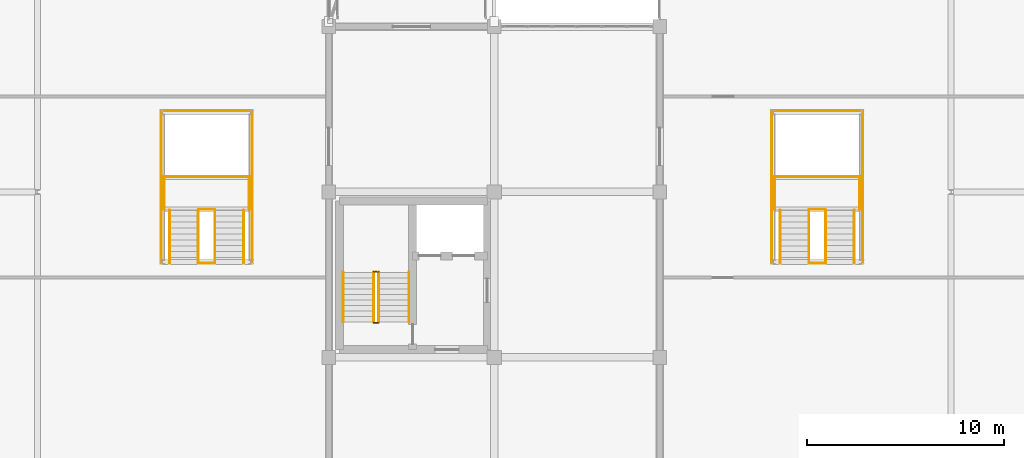
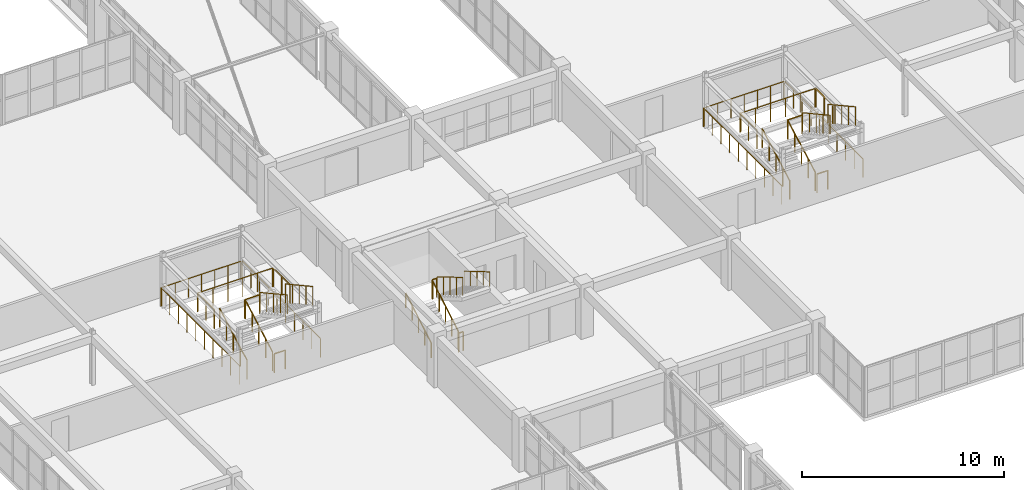
# One storey, part 141 of 148: 30 railings.
"""IFC4 building model written with IfcOpenShell, lengths in metres."""

from ifc_helpers import new_model, si_unit, direction, frame, origin, origin_2d, place, context, subcontext, project, spatial, circle, extrude, material, type_object, element, save


model = new_model("IFC4")

# Units and contexts
model_context = context("Model", 3, precision=1e-05, world=origin(), true_north=direction((0.0, 1.0)))
body_context = subcontext(model_context, "Body", "Model", "MODEL_VIEW")
ifc_project = project(units=[si_unit("LENGTHUNIT", "METRE"), si_unit("AREAUNIT", "SQUARE_METRE"), si_unit("VOLUMEUNIT", "CUBIC_METRE"), si_unit("PLANEANGLEUNIT", "RADIAN"), si_unit("MASSUNIT", "GRAM", prefix="KILO")], contexts=[model_context])

# Site, building, storey
site_placement = place(None, origin())
site = spatial("IfcSite", under=ifc_project, at=site_placement, CompositionType="ELEMENT")
building_placement = place(site_placement, origin())
building = spatial("IfcBuilding", under=site, at=building_placement, Name="Trelvath General Hospital", CompositionType="ELEMENT")
storey_placement = place(building_placement, frame((0.0, 0.0, 12.89990234375)))
storey = spatial("IfcBuildingStorey", under=building, at=storey_placement, Name="L03", CompositionType="ELEMENT", Elevation=12.89990234375)

# Railings
ifc_material_1 = material(Name="Architectural painted steel", Category="steel")
railing_type_1 = type_object("IfcRailingType", Name="Guardrail Terrace1150", PredefinedType="GUARDRAIL", material=ifc_material_1)
railing_1_placement = place(storey_placement, frame((77.8701171875, 52.159912109375, 0.0)))
element("IfcRailing", 1, at=railing_1_placement, inside=storey, type_object=railing_type_1, Name="Stair Well Edge Guard C6 L03 210", PredefinedType="GUARDRAIL", context=body_context, shape_type="SweptSolid", body=[
    extrude(circle(Radius=0.02392578125, at=origin_2d()), frame((0.0, 0.0, 1.1259765625), z_axis=(1.0, 0.0, 0.0), x_axis=(0.0, 1.0, 0.0)), (0.0, 0.0, 1.0), 0.259765625),
    extrude(circle(Radius=0.02099609375, at=origin_2d()), origin(), (0.0, 0.0, 1.0), 1.099853515625),
    extrude(circle(Radius=0.02099609375, at=origin_2d()), frame((0.259765625, 0.0, 0.0)), (0.0, 0.0, 1.0), 1.099853515625),
])
railing_2_placement = place(storey_placement, frame((78.1298828125, 54.719970703125, 1.815185546875)))
element("IfcRailing", 2, at=railing_2_placement, inside=storey, type_object=railing_type_1, Name="Stair Rail ST6 L03 F2 L 212", PredefinedType="GUARDRAIL", context=body_context, shape_type="SweptSolid", body=[
    extrude(circle(Radius=0.02392578125, at=origin_2d()), frame((0.0, 0.0, 1.076171875), z_axis=(0.0, -0.861560626758, 0.507654692109), x_axis=(1.0, 0.0, 0.0)), (0.0, 0.0, 1.0), 2.925048828125),
    extrude(circle(Radius=0.02099609375, at=origin_2d()), origin(), (0.0, 0.0, 1.0), 1.050048828125),
    extrude(circle(Radius=0.02099609375, at=origin_2d()), frame((0.0, -0.6298828125, 0.37109375)), (0.0, 0.0, 1.0), 1.050048828125),
    extrude(circle(Radius=0.02099609375, at=origin_2d()), frame((0.0, -1.260009765625, 0.742431640625)), (0.0, 0.0, 1.0), 1.050048828125),
    extrude(circle(Radius=0.02099609375, at=origin_2d()), frame((0.0, -1.89013671875, 1.11376953125)), (0.0, 0.0, 1.0), 1.050048828125),
    extrude(circle(Radius=0.02099609375, at=origin_2d()), frame((0.0, -2.52001953125, 1.48486328125)), (0.0, 0.0, 1.0), 1.050048828125),
])
railing_3_placement = place(storey_placement, frame((77.8701171875, 52.199951171875, 0.1650390625)))
element("IfcRailing", 3, at=railing_3_placement, inside=storey, type_object=railing_type_1, Name="Stair Rail ST6 L03 F1 R 213", PredefinedType="GUARDRAIL", context=body_context, shape_type="SweptSolid", body=[
    extrude(circle(Radius=0.02392578125, at=origin_2d()), frame((0.0, 0.0, 1.076171875), z_axis=(0.0, 0.86152411907, 0.507716645641), x_axis=(-1.0, 0.0, 0.0)), (0.0, 0.0, 1.0), 2.925048828125),
    extrude(circle(Radius=0.02099609375, at=origin_2d()), origin(), (0.0, 0.0, 1.0), 1.050048828125),
    extrude(circle(Radius=0.02099609375, at=origin_2d()), frame((0.0, 0.6298828125, 0.371337890625)), (0.0, 0.0, 1.0), 1.050048828125),
    extrude(circle(Radius=0.02099609375, at=origin_2d()), frame((0.0, 1.260009765625, 0.74267578125)), (0.0, 0.0, 1.0), 1.050048828125),
    extrude(circle(Radius=0.02099609375, at=origin_2d()), frame((0.0, 1.89013671875, 1.11376953125)), (0.0, 0.0, 1.0), 1.050048828125),
    extrude(circle(Radius=0.02099609375, at=origin_2d()), frame((0.0, 2.52001953125, 1.485107421875)), (0.0, 0.0, 1.0), 1.050048828125),
])
railing_4_placement = place(storey_placement, frame((77.8701171875, 54.760009765625, 1.650146484375)))
element("IfcRailing", 4, at=railing_4_placement, inside=storey, type_object=railing_type_1, Name="Half-Landing Well Guard ST6 L03 215", PredefinedType="GUARDRAIL", context=body_context, shape_type="SweptSolid", body=[
    extrude(circle(Radius=0.02392578125, at=origin_2d()), frame((0.0, 0.0, 1.1259765625), z_axis=(1.0, 0.0, 0.0), x_axis=(0.0, 1.0, 0.0)), (0.0, 0.0, 1.0), 0.259765625),
    extrude(circle(Radius=0.02099609375, at=origin_2d()), origin(), (0.0, 0.0, 1.0), 1.099853515625),
    extrude(circle(Radius=0.02099609375, at=origin_2d()), frame((0.259765625, 0.0, 0.0)), (0.0, 0.0, 1.0), 1.099853515625),
])
for number, where, name in (
    (5, (67.52001953125, 55.169921875, 0.1650390625), "Cube Stair Flight Guard ST9 L03 307"),
    (6, (68.97998046875, 55.169921875, 0.1650390625), "Cube Stair Flight Guard ST9 L03 308"),
):
    element("IfcRailing", number, at=place(storey_placement, frame(where)), inside=storey, type_object=railing_type_1, Name=name, PredefinedType="GUARDRAIL", context=body_context, shape_type="SweptSolid", body=[
        extrude(circle(Radius=0.02392578125, at=origin_2d()), frame((0.0, 0.0, 1.1259765625), z_axis=(0.0, 0.876215908677, 0.481918749772), x_axis=(-1.0, 0.0, 0.0)), (0.0, 0.0, 1.0), 3.08154296875),
        extrude(circle(Radius=0.02099609375, at=origin_2d()), origin(), (0.0, 0.0, 1.0), 1.099853515625),
        extrude(circle(Radius=0.02099609375, at=origin_2d()), frame((0.0, 0.675048828125, 0.371337890625)), (0.0, 0.0, 1.0), 1.099853515625),
        extrude(circle(Radius=0.02099609375, at=origin_2d()), frame((0.0, 1.35009765625, 0.74267578125)), (0.0, 0.0, 1.0), 1.099853515625),
        extrude(circle(Radius=0.02099609375, at=origin_2d()), frame((0.0, 2.025146484375, 1.11376953125)), (0.0, 0.0, 1.0), 1.099853515625),
        extrude(circle(Radius=0.02099609375, at=origin_2d()), frame((0.0, 2.7001953125, 1.485107421875)), (0.0, 0.0, 1.0), 1.099853515625),
    ])
for number, where, name in (
    (7, (69.820068359375, 57.8701171875, 1.815185546875), "Cube Stair Flight Guard ST9 L03 309"),
    (8, (71.280029296875, 57.8701171875, 1.815185546875), "Cube Stair Flight Guard ST9 L03 310"),
):
    element("IfcRailing", number, at=place(storey_placement, frame(where)), inside=storey, type_object=railing_type_1, Name=name, PredefinedType="GUARDRAIL", context=body_context, shape_type="SweptSolid", body=[
        extrude(circle(Radius=0.02392578125, at=origin_2d()), frame((0.0, 0.0, 1.1259765625), z_axis=(0.0, -0.876249361297, 0.481857921827), x_axis=(1.0, 0.0, 0.0)), (0.0, 0.0, 1.0), 3.08154296875),
        extrude(circle(Radius=0.02099609375, at=origin_2d()), origin(), (0.0, 0.0, 1.0), 1.099853515625),
        extrude(circle(Radius=0.02099609375, at=origin_2d()), frame((0.0, -0.675048828125, 0.37109375)), (0.0, 0.0, 1.0), 1.099853515625),
        extrude(circle(Radius=0.02099609375, at=origin_2d()), frame((0.0, -1.35009765625, 0.742431640625)), (0.0, 0.0, 1.0), 1.099853515625),
        extrude(circle(Radius=0.02099609375, at=origin_2d()), frame((0.0, -2.025146484375, 1.11376953125)), (0.0, 0.0, 1.0), 1.099853515625),
        extrude(circle(Radius=0.02099609375, at=origin_2d()), frame((0.0, -2.7001953125, 1.48486328125)), (0.0, 0.0, 1.0), 1.099853515625),
    ])
railing_5_placement = place(storey_placement, frame((67.239990234375, 57.909912109375, 1.650146484375)))
element("IfcRailing", 9, at=railing_5_placement, inside=storey, type_object=railing_type_1, Name="Cube Half-Landing Guard W ST9 L03 311", PredefinedType="GUARDRAIL", context=body_context, shape_type="SweptSolid", body=[
    extrude(circle(Radius=0.02392578125, at=origin_2d()), frame((0.0, 0.0, 1.1259765625), z_axis=(0.0, 1.0, 0.0), x_axis=(-1.0, 0.0, 0.0)), (0.0, 0.0, 1.0), 1.670166015625),
    extrude(circle(Radius=0.02099609375, at=origin_2d()), origin(), (0.0, 0.0, 1.0), 1.099853515625),
    extrude(circle(Radius=0.02099609375, at=origin_2d()), frame((0.0, 0.8349609375, 0.0)), (0.0, 0.0, 1.0), 1.099853515625),
    extrude(circle(Radius=0.02099609375, at=origin_2d()), frame((0.0, 1.670166015625, 0.0)), (0.0, 0.0, 1.0), 1.099853515625),
])
railing_6_placement = place(storey_placement, frame((67.280029296875, 59.580078125, 1.650146484375)))
element("IfcRailing", 10, at=railing_6_placement, inside=storey, type_object=railing_type_1, Name="Cube Half-Landing Guard N ST9 L03 312", PredefinedType="GUARDRAIL", context=body_context, shape_type="SweptSolid", body=[
    extrude(circle(Radius=0.02392578125, at=origin_2d()), frame((0.0, 0.0, 1.1259765625), z_axis=(1.0, 0.0, 0.0), x_axis=(0.0, 1.0, 0.0)), (0.0, 0.0, 1.0), 4.239990234375),
    extrude(circle(Radius=0.02099609375, at=origin_2d()), origin(), (0.0, 0.0, 1.0), 1.099853515625),
    extrude(circle(Radius=0.02099609375, at=origin_2d()), frame((0.847900390625, 0.0, 0.0)), (0.0, 0.0, 1.0), 1.099853515625),
    extrude(circle(Radius=0.02099609375, at=origin_2d()), frame((1.696044921875, 0.0, 0.0)), (0.0, 0.0, 1.0), 1.099853515625),
    extrude(circle(Radius=0.02099609375, at=origin_2d()), frame((2.5439453125, 0.0, 0.0)), (0.0, 0.0, 1.0), 1.099853515625),
    extrude(circle(Radius=0.02099609375, at=origin_2d()), frame((3.39208984375, 0.0, 0.0)), (0.0, 0.0, 1.0), 1.099853515625),
    extrude(circle(Radius=0.02099609375, at=origin_2d()), frame((4.239990234375, 0.0, 0.0)), (0.0, 0.0, 1.0), 1.099853515625),
])
railing_7_placement = place(storey_placement, frame((71.56005859375, 57.909912109375, 1.650146484375)))
element("IfcRailing", 11, at=railing_7_placement, inside=storey, type_object=railing_type_1, Name="Cube Half-Landing Guard E ST9 L03 313", PredefinedType="GUARDRAIL", context=body_context, shape_type="SweptSolid", body=[
    extrude(circle(Radius=0.02392578125, at=origin_2d()), frame((0.0, 0.0, 1.1259765625), z_axis=(0.0, 1.0, 0.0), x_axis=(-1.0, 0.0, 0.0)), (0.0, 0.0, 1.0), 1.670166015625),
    extrude(circle(Radius=0.02099609375, at=origin_2d()), origin(), (0.0, 0.0, 1.0), 1.099853515625),
    extrude(circle(Radius=0.02099609375, at=origin_2d()), frame((0.0, 0.8349609375, 0.0)), (0.0, 0.0, 1.0), 1.099853515625),
    extrude(circle(Radius=0.02099609375, at=origin_2d()), frame((0.0, 1.670166015625, 0.0)), (0.0, 0.0, 1.0), 1.099853515625),
])
railing_8_placement = place(storey_placement, frame((68.97998046875, 57.909912109375, 1.650146484375)))
element("IfcRailing", 12, at=railing_8_placement, inside=storey, type_object=railing_type_1, Name="Cube Half-Landing Slot Guard ST9 L03 314", PredefinedType="GUARDRAIL", context=body_context, shape_type="SweptSolid", body=[
    extrude(circle(Radius=0.02392578125, at=origin_2d()), frame((0.0, 0.0, 1.1259765625), z_axis=(1.0, 0.0, 0.0), x_axis=(0.0, 1.0, 0.0)), (0.0, 0.0, 1.0), 0.840087890625),
    extrude(circle(Radius=0.02099609375, at=origin_2d()), origin(), (0.0, 0.0, 1.0), 1.099853515625),
    extrude(circle(Radius=0.02099609375, at=origin_2d()), frame((0.840087890625, 0.0, 0.0)), (0.0, 0.0, 1.0), 1.099853515625),
])
for number, where, name in (
    (13, (98.52001953125, 55.169921875, 0.1650390625), "Cube Stair Flight Guard ST10 L03 315"),
    (14, (99.97998046875, 55.169921875, 0.1650390625), "Cube Stair Flight Guard ST10 L03 316"),
):
    element("IfcRailing", number, at=place(storey_placement, frame(where)), inside=storey, type_object=railing_type_1, Name=name, PredefinedType="GUARDRAIL", context=body_context, shape_type="SweptSolid", body=[
        extrude(circle(Radius=0.02392578125, at=origin_2d()), frame((0.0, 0.0, 1.1259765625), z_axis=(0.0, 0.876215908677, 0.481918749772), x_axis=(-1.0, 0.0, 0.0)), (0.0, 0.0, 1.0), 3.08154296875),
        extrude(circle(Radius=0.02099609375, at=origin_2d()), origin(), (0.0, 0.0, 1.0), 1.099853515625),
        extrude(circle(Radius=0.02099609375, at=origin_2d()), frame((0.0, 0.675048828125, 0.371337890625)), (0.0, 0.0, 1.0), 1.099853515625),
        extrude(circle(Radius=0.02099609375, at=origin_2d()), frame((0.0, 1.35009765625, 0.74267578125)), (0.0, 0.0, 1.0), 1.099853515625),
        extrude(circle(Radius=0.02099609375, at=origin_2d()), frame((0.0, 2.025146484375, 1.11376953125)), (0.0, 0.0, 1.0), 1.099853515625),
        extrude(circle(Radius=0.02099609375, at=origin_2d()), frame((0.0, 2.7001953125, 1.485107421875)), (0.0, 0.0, 1.0), 1.099853515625),
    ])
for number, where, name in (
    (15, (100.820068359375, 57.8701171875, 1.815185546875), "Cube Stair Flight Guard ST10 L03 317"),
    (16, (102.280029296875, 57.8701171875, 1.815185546875), "Cube Stair Flight Guard ST10 L03 318"),
):
    element("IfcRailing", number, at=place(storey_placement, frame(where)), inside=storey, type_object=railing_type_1, Name=name, PredefinedType="GUARDRAIL", context=body_context, shape_type="SweptSolid", body=[
        extrude(circle(Radius=0.02392578125, at=origin_2d()), frame((0.0, 0.0, 1.1259765625), z_axis=(0.0, -0.876249361297, 0.481857921827), x_axis=(1.0, 0.0, 0.0)), (0.0, 0.0, 1.0), 3.08154296875),
        extrude(circle(Radius=0.02099609375, at=origin_2d()), origin(), (0.0, 0.0, 1.0), 1.099853515625),
        extrude(circle(Radius=0.02099609375, at=origin_2d()), frame((0.0, -0.675048828125, 0.37109375)), (0.0, 0.0, 1.0), 1.099853515625),
        extrude(circle(Radius=0.02099609375, at=origin_2d()), frame((0.0, -1.35009765625, 0.742431640625)), (0.0, 0.0, 1.0), 1.099853515625),
        extrude(circle(Radius=0.02099609375, at=origin_2d()), frame((0.0, -2.025146484375, 1.11376953125)), (0.0, 0.0, 1.0), 1.099853515625),
        extrude(circle(Radius=0.02099609375, at=origin_2d()), frame((0.0, -2.7001953125, 1.48486328125)), (0.0, 0.0, 1.0), 1.099853515625),
    ])
railing_9_placement = place(storey_placement, frame((98.239990234375, 57.909912109375, 1.650146484375)))
element("IfcRailing", 17, at=railing_9_placement, inside=storey, type_object=railing_type_1, Name="Cube Half-Landing Guard W ST10 L03 319", PredefinedType="GUARDRAIL", context=body_context, shape_type="SweptSolid", body=[
    extrude(circle(Radius=0.02392578125, at=origin_2d()), frame((0.0, 0.0, 1.1259765625), z_axis=(0.0, 1.0, 0.0), x_axis=(-1.0, 0.0, 0.0)), (0.0, 0.0, 1.0), 1.670166015625),
    extrude(circle(Radius=0.02099609375, at=origin_2d()), origin(), (0.0, 0.0, 1.0), 1.099853515625),
    extrude(circle(Radius=0.02099609375, at=origin_2d()), frame((0.0, 0.8349609375, 0.0)), (0.0, 0.0, 1.0), 1.099853515625),
    extrude(circle(Radius=0.02099609375, at=origin_2d()), frame((0.0, 1.670166015625, 0.0)), (0.0, 0.0, 1.0), 1.099853515625),
])
railing_10_placement = place(storey_placement, frame((98.280029296875, 59.580078125, 1.650146484375)))
element("IfcRailing", 18, at=railing_10_placement, inside=storey, type_object=railing_type_1, Name="Cube Half-Landing Guard N ST10 L03 320", PredefinedType="GUARDRAIL", context=body_context, shape_type="SweptSolid", body=[
    extrude(circle(Radius=0.02392578125, at=origin_2d()), frame((0.0, 0.0, 1.1259765625), z_axis=(1.0, 0.0, 0.0), x_axis=(0.0, 1.0, 0.0)), (0.0, 0.0, 1.0), 4.239990234375),
    extrude(circle(Radius=0.02099609375, at=origin_2d()), origin(), (0.0, 0.0, 1.0), 1.099853515625),
    extrude(circle(Radius=0.02099609375, at=origin_2d()), frame((0.847900390625, 0.0, 0.0)), (0.0, 0.0, 1.0), 1.099853515625),
    extrude(circle(Radius=0.02099609375, at=origin_2d()), frame((1.696044921875, 0.0, 0.0)), (0.0, 0.0, 1.0), 1.099853515625),
    extrude(circle(Radius=0.02099609375, at=origin_2d()), frame((2.5439453125, 0.0, 0.0)), (0.0, 0.0, 1.0), 1.099853515625),
    extrude(circle(Radius=0.02099609375, at=origin_2d()), frame((3.39208984375, 0.0, 0.0)), (0.0, 0.0, 1.0), 1.099853515625),
    extrude(circle(Radius=0.02099609375, at=origin_2d()), frame((4.239990234375, 0.0, 0.0)), (0.0, 0.0, 1.0), 1.099853515625),
])
railing_11_placement = place(storey_placement, frame((102.56005859375, 57.909912109375, 1.650146484375)))
element("IfcRailing", 19, at=railing_11_placement, inside=storey, type_object=railing_type_1, Name="Cube Half-Landing Guard E ST10 L03 321", PredefinedType="GUARDRAIL", context=body_context, shape_type="SweptSolid", body=[
    extrude(circle(Radius=0.02392578125, at=origin_2d()), frame((0.0, 0.0, 1.1259765625), z_axis=(0.0, 1.0, 0.0), x_axis=(-1.0, 0.0, 0.0)), (0.0, 0.0, 1.0), 1.670166015625),
    extrude(circle(Radius=0.02099609375, at=origin_2d()), origin(), (0.0, 0.0, 1.0), 1.099853515625),
    extrude(circle(Radius=0.02099609375, at=origin_2d()), frame((0.0, 0.8349609375, 0.0)), (0.0, 0.0, 1.0), 1.099853515625),
    extrude(circle(Radius=0.02099609375, at=origin_2d()), frame((0.0, 1.670166015625, 0.0)), (0.0, 0.0, 1.0), 1.099853515625),
])
railing_12_placement = place(storey_placement, frame((99.97998046875, 57.909912109375, 1.650146484375)))
element("IfcRailing", 20, at=railing_12_placement, inside=storey, type_object=railing_type_1, Name="Cube Half-Landing Slot Guard ST10 L03 322", PredefinedType="GUARDRAIL", context=body_context, shape_type="SweptSolid", body=[
    extrude(circle(Radius=0.02392578125, at=origin_2d()), frame((0.0, 0.0, 1.1259765625), z_axis=(1.0, 0.0, 0.0), x_axis=(0.0, 1.0, 0.0)), (0.0, 0.0, 1.0), 0.840087890625),
    extrude(circle(Radius=0.02099609375, at=origin_2d()), origin(), (0.0, 0.0, 1.0), 1.099853515625),
    extrude(circle(Radius=0.02099609375, at=origin_2d()), frame((0.840087890625, 0.0, 0.0)), (0.0, 0.0, 1.0), 1.099853515625),
])
railing_13_placement = place(storey_placement, frame((67.080078125, 55.179931640625, 0.0)))
element("IfcRailing", 21, at=railing_13_placement, inside=storey, type_object=railing_type_1, Name="Atrium Guard W CUBE-W-T1 L03 371", PredefinedType="GUARDRAIL", context=body_context, shape_type="SweptSolid", body=[
    extrude(circle(Radius=0.02392578125, at=origin_2d()), frame((0.0, 0.0, 1.1259765625), z_axis=(0.0, 1.0, 0.0), x_axis=(-1.0, 0.0, 0.0)), (0.0, 0.0, 1.0), 7.739990234375),
    extrude(circle(Radius=0.02099609375, at=origin_2d()), origin(), (0.0, 0.0, 1.0), 1.099853515625),
    extrude(circle(Radius=0.02099609375, at=origin_2d()), frame((0.0, 0.860107421875, 0.0)), (0.0, 0.0, 1.0), 1.099853515625),
    extrude(circle(Radius=0.02099609375, at=origin_2d()), frame((0.0, 1.719970703125, 0.0)), (0.0, 0.0, 1.0), 1.099853515625),
    extrude(circle(Radius=0.02099609375, at=origin_2d()), frame((0.0, 2.580078125, 0.0)), (0.0, 0.0, 1.0), 1.099853515625),
    extrude(circle(Radius=0.02099609375, at=origin_2d()), frame((0.0, 3.43994140625, 0.0)), (0.0, 0.0, 1.0), 1.099853515625),
    extrude(circle(Radius=0.02099609375, at=origin_2d()), frame((0.0, 4.300048828125, 0.0)), (0.0, 0.0, 1.0), 1.099853515625),
    extrude(circle(Radius=0.02099609375, at=origin_2d()), frame((0.0, 5.159912109375, 0.0)), (0.0, 0.0, 1.0), 1.099853515625),
    extrude(circle(Radius=0.02099609375, at=origin_2d()), frame((0.0, 6.02001953125, 0.0)), (0.0, 0.0, 1.0), 1.099853515625),
    extrude(circle(Radius=0.02099609375, at=origin_2d()), frame((0.0, 6.8798828125, 0.0)), (0.0, 0.0, 1.0), 1.099853515625),
    extrude(circle(Radius=0.02099609375, at=origin_2d()), frame((0.0, 7.739990234375, 0.0)), (0.0, 0.0, 1.0), 1.099853515625),
])
railing_14_placement = place(storey_placement, frame((67.139892578125, 62.919921875, 0.0)))
element("IfcRailing", 22, at=railing_14_placement, inside=storey, type_object=railing_type_1, Name="Atrium Guard N CUBE-W-T1 L03 372", PredefinedType="GUARDRAIL", context=body_context, shape_type="SweptSolid", body=[
    extrude(circle(Radius=0.02392578125, at=origin_2d()), frame((0.0, 0.0, 1.1259765625), z_axis=(1.0, 0.0, 0.0), x_axis=(0.0, 1.0, 0.0)), (0.0, 0.0, 1.0), 4.52001953125),
    extrude(circle(Radius=0.02099609375, at=origin_2d()), origin(), (0.0, 0.0, 1.0), 1.099853515625),
    extrude(circle(Radius=0.02099609375, at=origin_2d()), frame((0.75341796875, 0.0, 0.0)), (0.0, 0.0, 1.0), 1.099853515625),
    extrude(circle(Radius=0.02099609375, at=origin_2d()), frame((1.506591796875, 0.0, 0.0)), (0.0, 0.0, 1.0), 1.099853515625),
    extrude(circle(Radius=0.02099609375, at=origin_2d()), frame((2.260009765625, 0.0, 0.0)), (0.0, 0.0, 1.0), 1.099853515625),
    extrude(circle(Radius=0.02099609375, at=origin_2d()), frame((3.013427734375, 0.0, 0.0)), (0.0, 0.0, 1.0), 1.099853515625),
    extrude(circle(Radius=0.02099609375, at=origin_2d()), frame((3.7666015625, 0.0, 0.0)), (0.0, 0.0, 1.0), 1.099853515625),
    extrude(circle(Radius=0.02099609375, at=origin_2d()), frame((4.52001953125, 0.0, 0.0)), (0.0, 0.0, 1.0), 1.099853515625),
])
railing_15_placement = place(storey_placement, frame((71.719970703125, 55.179931640625, 0.0)))
element("IfcRailing", 23, at=railing_15_placement, inside=storey, type_object=railing_type_1, Name="Atrium Guard E CUBE-W-T1 L03 373", PredefinedType="GUARDRAIL", context=body_context, shape_type="SweptSolid", body=[
    extrude(circle(Radius=0.02392578125, at=origin_2d()), frame((0.0, 0.0, 1.1259765625), z_axis=(0.0, 1.0, 0.0), x_axis=(-1.0, 0.0, 0.0)), (0.0, 0.0, 1.0), 7.739990234375),
    extrude(circle(Radius=0.02099609375, at=origin_2d()), origin(), (0.0, 0.0, 1.0), 1.099853515625),
    extrude(circle(Radius=0.02099609375, at=origin_2d()), frame((0.0, 0.860107421875, 0.0)), (0.0, 0.0, 1.0), 1.099853515625),
    extrude(circle(Radius=0.02099609375, at=origin_2d()), frame((0.0, 1.719970703125, 0.0)), (0.0, 0.0, 1.0), 1.099853515625),
    extrude(circle(Radius=0.02099609375, at=origin_2d()), frame((0.0, 2.580078125, 0.0)), (0.0, 0.0, 1.0), 1.099853515625),
    extrude(circle(Radius=0.02099609375, at=origin_2d()), frame((0.0, 3.43994140625, 0.0)), (0.0, 0.0, 1.0), 1.099853515625),
    extrude(circle(Radius=0.02099609375, at=origin_2d()), frame((0.0, 4.300048828125, 0.0)), (0.0, 0.0, 1.0), 1.099853515625),
    extrude(circle(Radius=0.02099609375, at=origin_2d()), frame((0.0, 5.159912109375, 0.0)), (0.0, 0.0, 1.0), 1.099853515625),
    extrude(circle(Radius=0.02099609375, at=origin_2d()), frame((0.0, 6.02001953125, 0.0)), (0.0, 0.0, 1.0), 1.099853515625),
    extrude(circle(Radius=0.02099609375, at=origin_2d()), frame((0.0, 6.8798828125, 0.0)), (0.0, 0.0, 1.0), 1.099853515625),
    extrude(circle(Radius=0.02099609375, at=origin_2d()), frame((0.0, 7.739990234375, 0.0)), (0.0, 0.0, 1.0), 1.099853515625),
])
railing_16_placement = place(storey_placement, frame((69.090087890625, 55.179931640625, 0.0)))
element("IfcRailing", 24, at=railing_16_placement, inside=storey, type_object=railing_type_1, Name="Atrium Mid-Slot Guard S CUBE-W-T1 L03 374", PredefinedType="GUARDRAIL", context=body_context, shape_type="SweptSolid", body=[
    extrude(circle(Radius=0.02392578125, at=origin_2d()), frame((0.0, 0.0, 1.1259765625), z_axis=(1.0, 0.0, 0.0), x_axis=(0.0, 1.0, 0.0)), (0.0, 0.0, 1.0), 0.619873046875),
    extrude(circle(Radius=0.02099609375, at=origin_2d()), origin(), (0.0, 0.0, 1.0), 1.099853515625),
    extrude(circle(Radius=0.02099609375, at=origin_2d()), frame((0.619873046875, 0.0, 0.0)), (0.0, 0.0, 1.0), 1.099853515625),
])
railing_17_placement = place(storey_placement, frame((98.080078125, 55.179931640625, 0.0)))
element("IfcRailing", 25, at=railing_17_placement, inside=storey, type_object=railing_type_1, Name="Atrium Guard W CUBE-E-T1 L03 375", PredefinedType="GUARDRAIL", context=body_context, shape_type="SweptSolid", body=[
    extrude(circle(Radius=0.02392578125, at=origin_2d()), frame((0.0, 0.0, 1.1259765625), z_axis=(0.0, 1.0, 0.0), x_axis=(-1.0, 0.0, 0.0)), (0.0, 0.0, 1.0), 7.739990234375),
    extrude(circle(Radius=0.02099609375, at=origin_2d()), origin(), (0.0, 0.0, 1.0), 1.099853515625),
    extrude(circle(Radius=0.02099609375, at=origin_2d()), frame((0.0, 0.860107421875, 0.0)), (0.0, 0.0, 1.0), 1.099853515625),
    extrude(circle(Radius=0.02099609375, at=origin_2d()), frame((0.0, 1.719970703125, 0.0)), (0.0, 0.0, 1.0), 1.099853515625),
    extrude(circle(Radius=0.02099609375, at=origin_2d()), frame((0.0, 2.580078125, 0.0)), (0.0, 0.0, 1.0), 1.099853515625),
    extrude(circle(Radius=0.02099609375, at=origin_2d()), frame((0.0, 3.43994140625, 0.0)), (0.0, 0.0, 1.0), 1.099853515625),
    extrude(circle(Radius=0.02099609375, at=origin_2d()), frame((0.0, 4.300048828125, 0.0)), (0.0, 0.0, 1.0), 1.099853515625),
    extrude(circle(Radius=0.02099609375, at=origin_2d()), frame((0.0, 5.159912109375, 0.0)), (0.0, 0.0, 1.0), 1.099853515625),
    extrude(circle(Radius=0.02099609375, at=origin_2d()), frame((0.0, 6.02001953125, 0.0)), (0.0, 0.0, 1.0), 1.099853515625),
    extrude(circle(Radius=0.02099609375, at=origin_2d()), frame((0.0, 6.8798828125, 0.0)), (0.0, 0.0, 1.0), 1.099853515625),
    extrude(circle(Radius=0.02099609375, at=origin_2d()), frame((0.0, 7.739990234375, 0.0)), (0.0, 0.0, 1.0), 1.099853515625),
])
railing_18_placement = place(storey_placement, frame((98.139892578125, 62.919921875, 0.0)))
element("IfcRailing", 26, at=railing_18_placement, inside=storey, type_object=railing_type_1, Name="Atrium Guard N CUBE-E-T1 L03 376", PredefinedType="GUARDRAIL", context=body_context, shape_type="SweptSolid", body=[
    extrude(circle(Radius=0.02392578125, at=origin_2d()), frame((0.0, 0.0, 1.1259765625), z_axis=(1.0, 0.0, 0.0), x_axis=(0.0, 1.0, 0.0)), (0.0, 0.0, 1.0), 4.52001953125),
    extrude(circle(Radius=0.02099609375, at=origin_2d()), origin(), (0.0, 0.0, 1.0), 1.099853515625),
    extrude(circle(Radius=0.02099609375, at=origin_2d()), frame((0.75341796875, 0.0, 0.0)), (0.0, 0.0, 1.0), 1.099853515625),
    extrude(circle(Radius=0.02099609375, at=origin_2d()), frame((1.506591796875, 0.0, 0.0)), (0.0, 0.0, 1.0), 1.099853515625),
    extrude(circle(Radius=0.02099609375, at=origin_2d()), frame((2.260009765625, 0.0, 0.0)), (0.0, 0.0, 1.0), 1.099853515625),
    extrude(circle(Radius=0.02099609375, at=origin_2d()), frame((3.013427734375, 0.0, 0.0)), (0.0, 0.0, 1.0), 1.099853515625),
    extrude(circle(Radius=0.02099609375, at=origin_2d()), frame((3.7666015625, 0.0, 0.0)), (0.0, 0.0, 1.0), 1.099853515625),
    extrude(circle(Radius=0.02099609375, at=origin_2d()), frame((4.52001953125, 0.0, 0.0)), (0.0, 0.0, 1.0), 1.099853515625),
])
railing_19_placement = place(storey_placement, frame((102.719970703125, 55.179931640625, 0.0)))
element("IfcRailing", 27, at=railing_19_placement, inside=storey, type_object=railing_type_1, Name="Atrium Guard E CUBE-E-T1 L03 377", PredefinedType="GUARDRAIL", context=body_context, shape_type="SweptSolid", body=[
    extrude(circle(Radius=0.02392578125, at=origin_2d()), frame((0.0, 0.0, 1.1259765625), z_axis=(0.0, 1.0, 0.0), x_axis=(-1.0, 0.0, 0.0)), (0.0, 0.0, 1.0), 7.739990234375),
    extrude(circle(Radius=0.02099609375, at=origin_2d()), origin(), (0.0, 0.0, 1.0), 1.099853515625),
    extrude(circle(Radius=0.02099609375, at=origin_2d()), frame((0.0, 0.860107421875, 0.0)), (0.0, 0.0, 1.0), 1.099853515625),
    extrude(circle(Radius=0.02099609375, at=origin_2d()), frame((0.0, 1.719970703125, 0.0)), (0.0, 0.0, 1.0), 1.099853515625),
    extrude(circle(Radius=0.02099609375, at=origin_2d()), frame((0.0, 2.580078125, 0.0)), (0.0, 0.0, 1.0), 1.099853515625),
    extrude(circle(Radius=0.02099609375, at=origin_2d()), frame((0.0, 3.43994140625, 0.0)), (0.0, 0.0, 1.0), 1.099853515625),
    extrude(circle(Radius=0.02099609375, at=origin_2d()), frame((0.0, 4.300048828125, 0.0)), (0.0, 0.0, 1.0), 1.099853515625),
    extrude(circle(Radius=0.02099609375, at=origin_2d()), frame((0.0, 5.159912109375, 0.0)), (0.0, 0.0, 1.0), 1.099853515625),
    extrude(circle(Radius=0.02099609375, at=origin_2d()), frame((0.0, 6.02001953125, 0.0)), (0.0, 0.0, 1.0), 1.099853515625),
    extrude(circle(Radius=0.02099609375, at=origin_2d()), frame((0.0, 6.8798828125, 0.0)), (0.0, 0.0, 1.0), 1.099853515625),
    extrude(circle(Radius=0.02099609375, at=origin_2d()), frame((0.0, 7.739990234375, 0.0)), (0.0, 0.0, 1.0), 1.099853515625),
])
railing_20_placement = place(storey_placement, frame((100.090087890625, 55.179931640625, 0.0)))
element("IfcRailing", 28, at=railing_20_placement, inside=storey, type_object=railing_type_1, Name="Atrium Mid-Slot Guard S CUBE-E-T1 L03 378", PredefinedType="GUARDRAIL", context=body_context, shape_type="SweptSolid", body=[
    extrude(circle(Radius=0.02392578125, at=origin_2d()), frame((0.0, 0.0, 1.1259765625), z_axis=(1.0, 0.0, 0.0), x_axis=(0.0, 1.0, 0.0)), (0.0, 0.0, 1.0), 0.619873046875),
    extrude(circle(Radius=0.02099609375, at=origin_2d()), origin(), (0.0, 0.0, 1.0), 1.099853515625),
    extrude(circle(Radius=0.02099609375, at=origin_2d()), frame((0.619873046875, 0.0, 0.0)), (0.0, 0.0, 1.0), 1.099853515625),
])
ifc_material_2 = material(Name="Brushed stainless steel", Category="steel")
railing_type_2 = type_object("IfcRailingType", Name="Handrail Stair900", PredefinedType="HANDRAIL", material=ifc_material_2)
railing_21_placement = place(storey_placement, frame((76.330078125, 52.199951171875, 0.1650390625)))
element("IfcRailing", 29, at=railing_21_placement, inside=storey, type_object=railing_type_2, Name="Stair Rail ST6 L03 F1 L 211", PredefinedType="HANDRAIL", context=body_context, shape_type="SweptSolid", body=[
    extrude(circle(Radius=0.02392578125, at=origin_2d()), frame((0.0, 0.0, 0.8759765625), z_axis=(0.0, 0.86152411907, 0.507716645641), x_axis=(-1.0, 0.0, 0.0)), (0.0, 0.0, 1.0), 2.925048828125),
    extrude(circle(Radius=0.02099609375, at=origin_2d()), origin(), (0.0, 0.0, 1.0), 0.849853515625),
    extrude(circle(Radius=0.02099609375, at=origin_2d()), frame((0.0, 0.6298828125, 0.371337890625)), (0.0, 0.0, 1.0), 0.849853515625),
    extrude(circle(Radius=0.02099609375, at=origin_2d()), frame((0.0, 1.260009765625, 0.74267578125)), (0.0, 0.0, 1.0), 0.849853515625),
    extrude(circle(Radius=0.02099609375, at=origin_2d()), frame((0.0, 1.89013671875, 1.11376953125)), (0.0, 0.0, 1.0), 0.849853515625),
    extrude(circle(Radius=0.02099609375, at=origin_2d()), frame((0.0, 2.52001953125, 1.485107421875)), (0.0, 0.0, 1.0), 0.849853515625),
])
railing_22_placement = place(storey_placement, frame((79.669921875, 54.719970703125, 1.815185546875)))
element("IfcRailing", 30, at=railing_22_placement, inside=storey, type_object=railing_type_2, Name="Stair Rail ST6 L03 F2 R 214", PredefinedType="HANDRAIL", context=body_context, shape_type="SweptSolid", body=[
    extrude(circle(Radius=0.02392578125, at=origin_2d()), frame((0.0, 0.0, 0.8759765625), z_axis=(0.0, -0.861560626758, 0.507654692109), x_axis=(1.0, 0.0, 0.0)), (0.0, 0.0, 1.0), 2.925048828125),
    extrude(circle(Radius=0.02099609375, at=origin_2d()), origin(), (0.0, 0.0, 1.0), 0.849853515625),
    extrude(circle(Radius=0.02099609375, at=origin_2d()), frame((0.0, -0.6298828125, 0.37109375)), (0.0, 0.0, 1.0), 0.849853515625),
    extrude(circle(Radius=0.02099609375, at=origin_2d()), frame((0.0, -1.260009765625, 0.742431640625)), (0.0, 0.0, 1.0), 0.849853515625),
    extrude(circle(Radius=0.02099609375, at=origin_2d()), frame((0.0, -1.89013671875, 1.11376953125)), (0.0, 0.0, 1.0), 0.849853515625),
    extrude(circle(Radius=0.02099609375, at=origin_2d()), frame((0.0, -2.52001953125, 1.48486328125)), (0.0, 0.0, 1.0), 0.849853515625),
])

save(model, "model.ifc")
